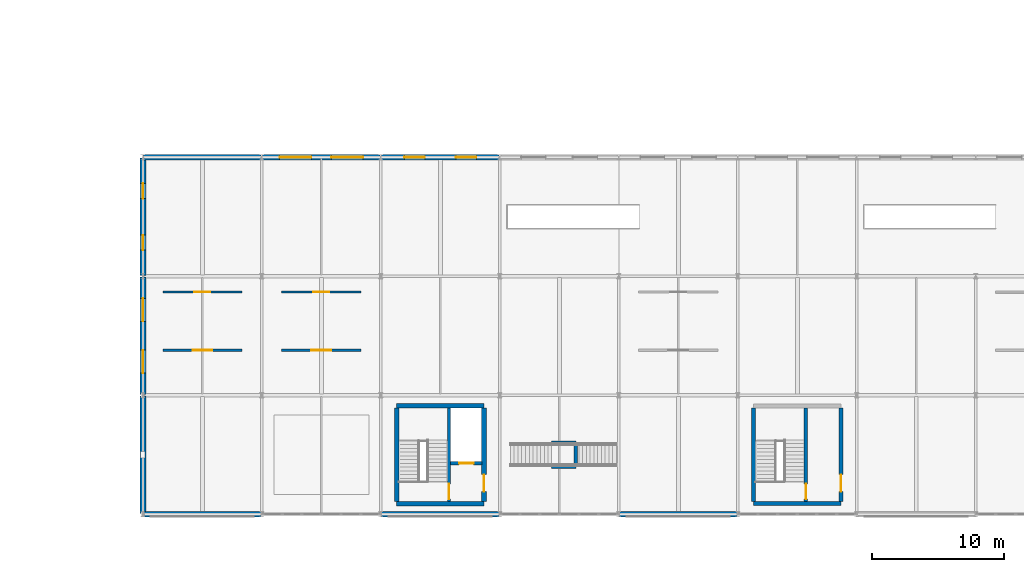
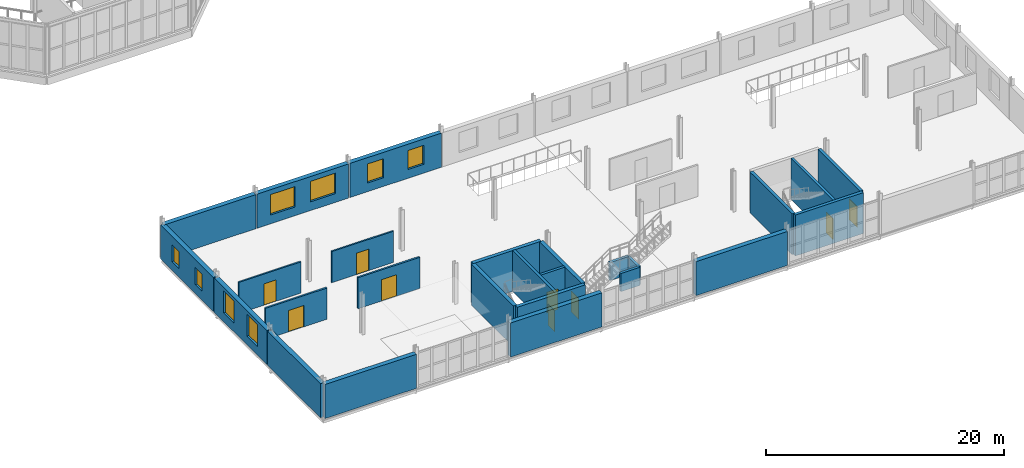
# One storey, part 133 of 161: 26 walls, 9 doors, 8 windows, 17 openings.
"""IFC4 building model written with IfcOpenShell, lengths in metres."""

from ifc_helpers import new_model, si_unit, direction, frame, frame_2d, origin, place, context, subcontext, project, spatial, rectangle, extrude, material, layer, layer_set, type_object, element, fill, save


model = new_model("IFC4")

# Units and contexts
model_context = context("Model", 3, precision=1e-05, world=origin(), true_north=direction((0.0, 1.0)))
body_context = subcontext(model_context, "Body", "Model", "MODEL_VIEW")
ifc_project = project(units=[si_unit("LENGTHUNIT", "METRE"), si_unit("AREAUNIT", "SQUARE_METRE"), si_unit("VOLUMEUNIT", "CUBIC_METRE"), si_unit("PLANEANGLEUNIT", "RADIAN"), si_unit("MASSUNIT", "GRAM", prefix="KILO")], contexts=[model_context])

# Site, building, storey
site_placement = place(None, origin())
site = spatial("IfcSite", under=ifc_project, at=site_placement, CompositionType="ELEMENT")
building_placement = place(site_placement, origin())
building = spatial("IfcBuilding", under=site, at=building_placement, Name="Kildeholm Park Wholesale Market", CompositionType="ELEMENT")
storey_placement = place(building_placement, frame((0.0, 0.0, 5.39990234375)))
storey = spatial("IfcBuildingStorey", under=building, at=storey_placement, Name="L01", CompositionType="ELEMENT", Elevation=5.39990234375)

# Walls
ifc_material_1 = material(Name="Insulated clinker brick and glazed ceramic mosaic facade wall", Category="masonry")
ifc_layer_1 = layer(ifc_material_1, 0.43994140625)
ifc_layer_set_1 = layer_set([ifc_layer_1], Name="Insulated clinker brick and glazed ceramic mosaic facade wall")
wall_type_1 = type_object("IfcWallType", Name="Exterior wall W-EX3 440 mm", PredefinedType="SOLIDWALL", material=ifc_layer_set_1)
for number, where, z_axis, x_axis, name in (
    (1, (9.06005859375, 0.0, 0.0), (0.0, 0.0, 1.0), (1.0, 0.0, 0.0), "Exterior wall V5W-L01-S01.1 WL-0517"),
    (2, (27.06005859375, 0.0, 0.0), (0.0, 0.0, 1.0), (1.0, 0.0, 0.0), "Exterior wall V5W-L01-S03.1 WL-0518"),
    (3, (45.06005859375, 0.0, 0.0), (0.0, 0.0, 1.0), (1.0, 0.0, 0.0), "Exterior wall V5W-L01-S05.1 WL-0519"),
    (4, (9.06005859375, 27.0, 0.0), (0.0, 0.0, 1.0), (1.0, 0.0, 0.0), "Exterior wall V5W-L01-N.1 WL-0521"),
):
    element("IfcWall", number, at=place(storey_placement, frame(where, z_axis=z_axis, x_axis=x_axis)), inside=storey, type_object=wall_type_1, Name=name, PredefinedType="SOLIDWALL", context=body_context, shape_type="SweptSolid", body=[
        extrude(rectangle(XDim=8.8798828125, YDim=0.43994140625, at=frame_2d((4.43994140625, 0.0))), origin(), (0.0, 0.0, 1.0), 3.5),
    ])

# Wall, openings, windows
wall_1_placement = place(storey_placement, frame((18.06005859375, 27.0, 0.0), z_axis=(0.0, 0.0, 1.0), x_axis=(1.0, 0.0, 0.0)))
wall_1 = element("IfcWall", 5, at=wall_1_placement, inside=storey, type_object=wall_type_1, Name="Exterior wall V5W-L01-N.2 WL-0522", PredefinedType="SOLIDWALL", context=body_context, shape_type="SweptSolid", body=[
    extrude(rectangle(XDim=8.8798828125, YDim=0.43994140625, at=frame_2d((4.43994140625, 0.0))), origin(), (0.0, 0.0, 1.0), 3.5),
])
opening_1_placement = place(wall_1_placement, frame((1.285888671875, 0.0, 0.89990234375)))
opening_1 = element("IfcOpeningElement", 6, at=opening_1_placement, cuts=wall_1, Name="Opening WN-04", PredefinedType="OPENING", context=body_context, shape_type="SweptSolid", body=[
    extrude(rectangle(XDim=2.39990234375, YDim=2.10009765625, at=frame_2d((1.199951171875, 1.050048828125))), frame((0.0, 0.22998046875, 0.0), z_axis=(0.0, -1.0, 0.0), x_axis=(1.0, 0.0, 0.0)), (0.0, 0.0, 1.0), 0.4599609375),
])
opening_2_placement = place(wall_1_placement, frame((5.194091796875, 0.0, 0.89990234375)))
opening_2 = element("IfcOpeningElement", 7, at=opening_2_placement, cuts=wall_1, Name="Opening WN-04", PredefinedType="OPENING", context=body_context, shape_type="SweptSolid", body=[
    extrude(rectangle(XDim=2.39990234375, YDim=2.10009765625, at=frame_2d((1.199951171875, 1.050048828125))), frame((0.0, 0.22998046875, 0.0), z_axis=(0.0, -1.0, 0.0), x_axis=(1.0, 0.0, 0.0)), (0.0, 0.0, 1.0), 0.4599609375),
])
ifc_material_2 = material(Name="Thermally broken aluminium and triple-glazed low-E glass", Category="aluminium")
window_type_1 = type_object("IfcWindowType", Name="Window WN-04 2400x2100", PartitioningType="TRIPLE_PANEL_VERTICAL", PredefinedType="WINDOW", material=ifc_material_2)
window_1_placement = place(opening_1_placement, origin())
window_1 = element("IfcWindow", 8, at=window_1_placement, inside=storey, type_object=window_type_1, Name="Window V5W-L01-N.2.1 WIN-0303", OverallHeight=2.10009765625, OverallWidth=2.39990234375, PartitioningType="SINGLE_PANEL", PredefinedType="WINDOW", context=body_context, shape_type="SweptSolid", body=[
    extrude(rectangle(XDim=2.39990234375, YDim=2.10009765625, at=frame_2d((1.199951171875, 1.050048828125))), frame((0.0, 0.030029296875, 0.0), z_axis=(0.0, -1.0, 0.0), x_axis=(1.0, 0.0, 0.0)), (0.0, 0.0, 1.0), 0.06005859375),
])
fill(opening_1, window_1)
window_2_placement = place(opening_2_placement, origin())
window_2 = element("IfcWindow", 9, at=window_2_placement, inside=storey, type_object=window_type_1, Name="Window V5W-L01-N.2.2 WIN-0304", OverallHeight=2.10009765625, OverallWidth=2.39990234375, PartitioningType="SINGLE_PANEL", PredefinedType="WINDOW", context=body_context, shape_type="SweptSolid", body=[
    extrude(rectangle(XDim=2.39990234375, YDim=2.10009765625, at=frame_2d((1.199951171875, 1.050048828125))), frame((0.0, 0.030029296875, 0.0), z_axis=(0.0, -1.0, 0.0), x_axis=(1.0, 0.0, 0.0)), (0.0, 0.0, 1.0), 0.06005859375),
])
fill(opening_2, window_2)

wall_2_placement = place(storey_placement, frame((27.06005859375, 27.0, 0.0), z_axis=(0.0, 0.0, 1.0), x_axis=(1.0, 0.0, 0.0)))
wall_2 = element("IfcWall", 10, at=wall_2_placement, inside=storey, type_object=wall_type_1, Name="Exterior wall V5W-L01-N.3 WL-0523", PredefinedType="SOLIDWALL", context=body_context, shape_type="SweptSolid", body=[
    extrude(rectangle(XDim=8.8798828125, YDim=0.43994140625, at=frame_2d((4.43994140625, 0.0))), origin(), (0.0, 0.0, 1.0), 3.5),
])
opening_3_placement = place(wall_2_placement, frame((1.7109375, 0.0, 0.89990234375)))
opening_3 = element("IfcOpeningElement", 11, at=opening_3_placement, cuts=wall_2, Name="Opening WN-29", PredefinedType="OPENING", context=body_context, shape_type="SweptSolid", body=[
    extrude(rectangle(XDim=1.550048828125, YDim=1.949951171875, at=frame_2d((0.77490234375, 0.97509765625))), frame((0.0, 0.22998046875, 0.0), z_axis=(0.0, -1.0, 0.0), x_axis=(1.0, 0.0, 0.0)), (0.0, 0.0, 1.0), 0.4599609375),
])
opening_4_placement = place(wall_2_placement, frame((5.618896484375, 0.0, 0.89990234375)))
opening_4 = element("IfcOpeningElement", 12, at=opening_4_placement, cuts=wall_2, Name="Opening WN-29", PredefinedType="OPENING", context=body_context, shape_type="SweptSolid", body=[
    extrude(rectangle(XDim=1.550048828125, YDim=1.949951171875, at=frame_2d((0.77490234375, 0.97509765625))), frame((0.0, 0.22998046875, 0.0), z_axis=(0.0, -1.0, 0.0), x_axis=(1.0, 0.0, 0.0)), (0.0, 0.0, 1.0), 0.4599609375),
])
window_type_2 = type_object("IfcWindowType", Name="Window WN-29 1550x1950", PartitioningType="DOUBLE_PANEL_VERTICAL", PredefinedType="WINDOW", material=ifc_material_2)
window_3_placement = place(opening_3_placement, origin())
window_3 = element("IfcWindow", 13, at=window_3_placement, inside=storey, type_object=window_type_2, Name="Window V5W-L01-N.3.1 WIN-0305", OverallHeight=1.949951171875, OverallWidth=1.550048828125, PartitioningType="SINGLE_PANEL", PredefinedType="WINDOW", context=body_context, shape_type="SweptSolid", body=[
    extrude(rectangle(XDim=1.550048828125, YDim=1.949951171875, at=frame_2d((0.77490234375, 0.97509765625))), frame((0.0, 0.030029296875, 0.0), z_axis=(0.0, -1.0, 0.0), x_axis=(1.0, 0.0, 0.0)), (0.0, 0.0, 1.0), 0.06005859375),
])
fill(opening_3, window_3)
window_4_placement = place(opening_4_placement, origin())
window_4 = element("IfcWindow", 14, at=window_4_placement, inside=storey, type_object=window_type_2, Name="Window V5W-L01-N.3.2 WIN-0306", OverallHeight=1.949951171875, OverallWidth=1.550048828125, PartitioningType="SINGLE_PANEL", PredefinedType="WINDOW", context=body_context, shape_type="SweptSolid", body=[
    extrude(rectangle(XDim=1.550048828125, YDim=1.949951171875, at=frame_2d((0.77490234375, 0.97509765625))), frame((0.0, 0.030029296875, 0.0), z_axis=(0.0, -1.0, 0.0), x_axis=(1.0, 0.0, 0.0)), (0.0, 0.0, 1.0), 0.06005859375),
])
fill(opening_4, window_4)

# Wall
wall_3_placement = place(storey_placement, frame((9.0, 0.06005859375, 0.0), z_axis=(0.0, 0.0, 1.0), x_axis=(0.0, 1.0, 0.0)))
element("IfcWall", 15, at=wall_3_placement, inside=storey, type_object=wall_type_1, Name="Exterior wall V5W-L01-W.1 WL-0529", PredefinedType="SOLIDWALL", context=body_context, shape_type="SweptSolid", body=[
    extrude(rectangle(XDim=8.8798828125, YDim=0.43994140625, at=frame_2d((4.43994140625, 0.0))), origin(), (0.0, 0.0, 1.0), 3.5),
])

# Wall, openings, windows
wall_4_placement = place(storey_placement, frame((9.0, 9.06005859375, 0.0), z_axis=(0.0, 0.0, 1.0), x_axis=(0.0, 1.0, 0.0)))
wall_4 = element("IfcWall", 16, at=wall_4_placement, inside=storey, type_object=wall_type_1, Name="Exterior wall V5W-L01-W.2 WL-0530", PredefinedType="SOLIDWALL", context=body_context, shape_type="SweptSolid", body=[
    extrude(rectangle(XDim=8.8798828125, YDim=0.43994140625, at=frame_2d((4.43994140625, 0.0))), origin(), (0.0, 0.0, 1.0), 3.5),
])
opening_5_placement = place(wall_4_placement, frame((1.611083984375, 0.0, 0.89990234375)))
opening_5 = element("IfcOpeningElement", 17, at=opening_5_placement, cuts=wall_4, Name="Opening WN-25", PredefinedType="OPENING", context=body_context, shape_type="SweptSolid", body=[
    extrude(rectangle(XDim=1.75, YDim=2.25, at=frame_2d((0.875, 1.125))), frame((0.0, 0.22998046875, 0.0), z_axis=(0.0, -1.0, 0.0), x_axis=(1.0, 0.0, 0.0)), (0.0, 0.0, 1.0), 0.4599609375),
])
opening_6_placement = place(wall_4_placement, frame((5.51904296875, 0.0, 0.89990234375)))
opening_6 = element("IfcOpeningElement", 18, at=opening_6_placement, cuts=wall_4, Name="Opening WN-25", PredefinedType="OPENING", context=body_context, shape_type="SweptSolid", body=[
    extrude(rectangle(XDim=1.75, YDim=2.25, at=frame_2d((0.875, 1.125))), frame((0.0, 0.22998046875, 0.0), z_axis=(0.0, -1.0, 0.0), x_axis=(1.0, 0.0, 0.0)), (0.0, 0.0, 1.0), 0.4599609375),
])
window_type_3 = type_object("IfcWindowType", Name="Window WN-25 1750x2250", PartitioningType="DOUBLE_PANEL_VERTICAL", PredefinedType="WINDOW", material=ifc_material_2)
window_5_placement = place(opening_5_placement, origin())
window_5 = element("IfcWindow", 19, at=window_5_placement, inside=storey, type_object=window_type_3, Name="Window V5W-L01-W.2.1 WIN-0317", OverallHeight=2.25, OverallWidth=1.75, PartitioningType="SINGLE_PANEL", PredefinedType="WINDOW", context=body_context, shape_type="SweptSolid", body=[
    extrude(rectangle(XDim=1.75, YDim=2.25, at=frame_2d((0.875, 1.125))), frame((0.0, 0.030029296875, 0.0), z_axis=(0.0, -1.0, 0.0), x_axis=(1.0, 0.0, 0.0)), (0.0, 0.0, 1.0), 0.06005859375),
])
fill(opening_5, window_5)
window_6_placement = place(opening_6_placement, origin())
window_6 = element("IfcWindow", 20, at=window_6_placement, inside=storey, type_object=window_type_3, Name="Window V5W-L01-W.2.2 WIN-0318", OverallHeight=2.25, OverallWidth=1.75, PartitioningType="SINGLE_PANEL", PredefinedType="WINDOW", context=body_context, shape_type="SweptSolid", body=[
    extrude(rectangle(XDim=1.75, YDim=2.25, at=frame_2d((0.875, 1.125))), frame((0.0, 0.030029296875, 0.0), z_axis=(0.0, -1.0, 0.0), x_axis=(1.0, 0.0, 0.0)), (0.0, 0.0, 1.0), 0.06005859375),
])
fill(opening_6, window_6)

wall_5_placement = place(storey_placement, frame((9.0, 18.06005859375, 0.0), z_axis=(0.0, 0.0, 1.0), x_axis=(0.0, 1.0, 0.0)))
wall_5 = element("IfcWall", 21, at=wall_5_placement, inside=storey, type_object=wall_type_1, Name="Exterior wall V5W-L01-W.3 WL-0531", PredefinedType="SOLIDWALL", context=body_context, shape_type="SweptSolid", body=[
    extrude(rectangle(XDim=8.8798828125, YDim=0.43994140625, at=frame_2d((4.43994140625, 0.0))), origin(), (0.0, 0.0, 1.0), 3.5),
])
opening_7_placement = place(wall_5_placement, frame((1.910888671875, 0.0, 0.89990234375)))
opening_7 = element("IfcOpeningElement", 22, at=opening_7_placement, cuts=wall_5, Name="Opening WN-27", PredefinedType="OPENING", context=body_context, shape_type="SweptSolid", body=[
    extrude(rectangle(XDim=1.14990234375, YDim=1.75, at=frame_2d((0.574951171875, 0.875))), frame((0.0, 0.22998046875, 0.0), z_axis=(0.0, -1.0, 0.0), x_axis=(1.0, 0.0, 0.0)), (0.0, 0.0, 1.0), 0.4599609375),
])
opening_8_placement = place(wall_5_placement, frame((5.819091796875, 0.0, 0.89990234375)))
opening_8 = element("IfcOpeningElement", 23, at=opening_8_placement, cuts=wall_5, Name="Opening WN-27", PredefinedType="OPENING", context=body_context, shape_type="SweptSolid", body=[
    extrude(rectangle(XDim=1.14990234375, YDim=1.75, at=frame_2d((0.574951171875, 0.875))), frame((0.0, 0.22998046875, 0.0), z_axis=(0.0, -1.0, 0.0), x_axis=(1.0, 0.0, 0.0)), (0.0, 0.0, 1.0), 0.4599609375),
])
window_type_4 = type_object("IfcWindowType", Name="Window WN-27 1150x1750", PartitioningType="SINGLE_PANEL", PredefinedType="WINDOW", material=ifc_material_2)
window_7_placement = place(opening_7_placement, origin())
window_7 = element("IfcWindow", 24, at=window_7_placement, inside=storey, type_object=window_type_4, Name="Window V5W-L01-W.3.1 WIN-0319", OverallHeight=1.75, OverallWidth=1.14990234375, PartitioningType="SINGLE_PANEL", PredefinedType="WINDOW", context=body_context, shape_type="SweptSolid", body=[
    extrude(rectangle(XDim=1.14990234375, YDim=1.75, at=frame_2d((0.574951171875, 0.875))), frame((0.0, 0.030029296875, 0.0), z_axis=(0.0, -1.0, 0.0), x_axis=(1.0, 0.0, 0.0)), (0.0, 0.0, 1.0), 0.06005859375),
])
fill(opening_7, window_7)
window_8_placement = place(opening_8_placement, origin())
window_8 = element("IfcWindow", 25, at=window_8_placement, inside=storey, type_object=window_type_4, Name="Window V5W-L01-W.3.2 WIN-0320", OverallHeight=1.75, OverallWidth=1.14990234375, PartitioningType="SINGLE_PANEL", PredefinedType="WINDOW", context=body_context, shape_type="SweptSolid", body=[
    extrude(rectangle(XDim=1.14990234375, YDim=1.75, at=frame_2d((0.574951171875, 0.875))), frame((0.0, 0.030029296875, 0.0), z_axis=(0.0, -1.0, 0.0), x_axis=(1.0, 0.0, 0.0)), (0.0, 0.0, 1.0), 0.06005859375),
])
fill(opening_8, window_8)

# Wall, opening, door
ifc_material_3 = material(Name="Fire-rated corridor and lobby partition")
ifc_layer_2 = layer(ifc_material_3, 0.14990234375)
ifc_layer_set_2 = layer_set([ifc_layer_2], Name="Fire-rated corridor and lobby partition")
wall_type_2 = type_object("IfcWallType", Name="Partition W-PT04 150 mm", PredefinedType="PARTITIONING", material=ifc_layer_set_2)
wall_6_placement = place(storey_placement, frame((10.5, 16.800048828125, 0.0), z_axis=(0.0, 0.0, 1.0), x_axis=(1.0, 0.0, 0.0)))
wall_6 = element("IfcWall", 26, at=wall_6_placement, inside=storey, type_object=wall_type_2, Name="Interior partition W-V5W-L01-CN1 WL-1010", PredefinedType="PARTITIONING", context=body_context, shape_type="SweptSolid", body=[
    extrude(rectangle(XDim=6.0, YDim=0.14990234375, at=frame_2d((3.0, 0.0))), origin(), (0.0, 0.0, 1.0), 3.2001953125),
])
opening_9_placement = place(wall_6_placement, frame((2.39990234375, 0.0, 0.0)))
opening_9 = element("IfcOpeningElement", 27, at=opening_9_placement, cuts=wall_6, Name="Opening D-IN11", PredefinedType="OPENING", context=body_context, shape_type="SweptSolid", body=[
    extrude(rectangle(XDim=1.199951171875, YDim=2.199951171875, at=frame_2d((0.60009765625, 1.10009765625))), frame((0.0, 0.0849609375, 0.0), z_axis=(0.0, -1.0, 0.0), x_axis=(1.0, 0.0, 0.0)), (0.0, 0.0, 1.0), 0.169921875),
])
ifc_material_4 = material(Name="Culinary workshop glazed doorset")
door_type_1 = type_object("IfcDoorType", Name="Interior door D-IN11 1200x2200", OperationType="NOTDEFINED", PredefinedType="DOOR", material=ifc_material_4)
door_1_placement = place(opening_9_placement, origin())
door_1 = element("IfcDoor", 28, at=door_1_placement, inside=storey, type_object=door_type_1, Name="Interior door V5W-L01-CN1 DR-0285 WL-1010", OperationType="SINGLE_SWING_LEFT", OverallHeight=2.199951171875, OverallWidth=1.199951171875, PredefinedType="DOOR", context=body_context, shape_type="SweptSolid", body=[
    extrude(rectangle(XDim=1.199951171875, YDim=2.199951171875, at=frame_2d((0.60009765625, 1.10009765625))), frame((0.0, 0.02490234375, 0.0), z_axis=(0.0, -1.0, 0.0), x_axis=(1.0, 0.0, 0.0)), (0.0, 0.0, 1.0), 0.050048828125),
])
fill(opening_9, door_1)

wall_7_placement = place(storey_placement, frame((19.5, 16.800048828125, 0.0), z_axis=(0.0, 0.0, 1.0), x_axis=(1.0, 0.0, 0.0)))
wall_7 = element("IfcWall", 29, at=wall_7_placement, inside=storey, type_object=wall_type_2, Name="Interior partition W-V5W-L01-CN2 WL-1012", PredefinedType="PARTITIONING", context=body_context, shape_type="SweptSolid", body=[
    extrude(rectangle(XDim=6.0, YDim=0.14990234375, at=frame_2d((3.0, 0.0))), origin(), (0.0, 0.0, 1.0), 3.2001953125),
])
opening_10_placement = place(wall_7_placement, frame((2.39990234375, 0.0, 0.0)))
opening_10 = element("IfcOpeningElement", 30, at=opening_10_placement, cuts=wall_7, Name="Opening D-IN11", PredefinedType="OPENING", context=body_context, shape_type="SweptSolid", body=[
    extrude(rectangle(XDim=1.199951171875, YDim=2.199951171875, at=frame_2d((0.60009765625, 1.10009765625))), frame((0.0, 0.0849609375, 0.0), z_axis=(0.0, -1.0, 0.0), x_axis=(1.0, 0.0, 0.0)), (0.0, 0.0, 1.0), 0.169921875),
])
door_2_placement = place(opening_10_placement, origin())
door_2 = element("IfcDoor", 31, at=door_2_placement, inside=storey, type_object=door_type_1, Name="Interior door V5W-L01-CN2 DR-0287 WL-1012", OperationType="SINGLE_SWING_LEFT", OverallHeight=2.199951171875, OverallWidth=1.199951171875, PredefinedType="DOOR", context=body_context, shape_type="SweptSolid", body=[
    extrude(rectangle(XDim=1.199951171875, YDim=2.199951171875, at=frame_2d((0.60009765625, 1.10009765625))), frame((0.0, 0.02490234375, 0.0), z_axis=(0.0, -1.0, 0.0), x_axis=(1.0, 0.0, 0.0)), (0.0, 0.0, 1.0), 0.050048828125),
])
fill(opening_10, door_2)

ifc_material_5 = material(Name="Commercial kitchen fire and hygiene wall")
ifc_layer_3 = layer(ifc_material_5, 0.175048828125)
ifc_layer_set_3 = layer_set([ifc_layer_3], Name="Commercial kitchen fire and hygiene wall")
wall_type_3 = type_object("IfcWallType", Name="Partition W-PT13 175 mm", PredefinedType="PARTITIONING", material=ifc_layer_set_3)
wall_8_placement = place(storey_placement, frame((10.5, 12.39990234375, 0.0), z_axis=(0.0, 0.0, 1.0), x_axis=(1.0, 0.0, 0.0)))
wall_8 = element("IfcWall", 32, at=wall_8_placement, inside=storey, type_object=wall_type_3, Name="Interior partition W-V5W-L01-CS1 WL-1009", PredefinedType="PARTITIONING", context=body_context, shape_type="SweptSolid", body=[
    extrude(rectangle(XDim=6.0, YDim=0.175048828125, at=frame_2d((3.0, 0.0))), origin(), (0.0, 0.0, 1.0), 3.2001953125),
])
opening_11_placement = place(wall_8_placement, frame((2.25, 0.0, 0.0)))
opening_11 = element("IfcOpeningElement", 33, at=opening_11_placement, cuts=wall_8, Name="Opening D-IN05", PredefinedType="OPENING", context=body_context, shape_type="SweptSolid", body=[
    extrude(rectangle(XDim=1.5, YDim=2.199951171875, at=frame_2d((0.75, 1.10009765625))), frame((0.0, 0.097412109375, 0.0), z_axis=(0.0, -1.0, 0.0), x_axis=(1.0, 0.0, 0.0)), (0.0, 0.0, 1.0), 0.195068359375),
])
ifc_material_6 = material(Name="Double-leaf canteen and kitchen doorset")
door_type_2 = type_object("IfcDoorType", Name="Interior door D-IN05 1500x2200", OperationType="NOTDEFINED", PredefinedType="DOOR", material=ifc_material_6)
door_3_placement = place(opening_11_placement, origin())
door_3 = element("IfcDoor", 34, at=door_3_placement, inside=storey, type_object=door_type_2, Name="Interior door V5W-L01-CS1 DR-0284 WL-1009", OperationType="DOUBLE_DOOR_SINGLE_SWING", OverallHeight=2.199951171875, OverallWidth=1.5, PredefinedType="DOOR", context=body_context, shape_type="SweptSolid", body=[
    extrude(rectangle(XDim=1.5, YDim=2.199951171875, at=frame_2d((0.75, 1.10009765625))), frame((0.0, 0.02490234375, 0.0), z_axis=(0.0, -1.0, 0.0), x_axis=(1.0, 0.0, 0.0)), (0.0, 0.0, 1.0), 0.050048828125),
])
fill(opening_11, door_3)

wall_9_placement = place(storey_placement, frame((19.5, 12.39990234375, 0.0), z_axis=(0.0, 0.0, 1.0), x_axis=(1.0, 0.0, 0.0)))
wall_9 = element("IfcWall", 35, at=wall_9_placement, inside=storey, type_object=wall_type_3, Name="Interior partition W-V5W-L01-CS2 WL-1011", PredefinedType="PARTITIONING", context=body_context, shape_type="SweptSolid", body=[
    extrude(rectangle(XDim=6.0, YDim=0.175048828125, at=frame_2d((3.0, 0.0))), origin(), (0.0, 0.0, 1.0), 3.2001953125),
])
opening_12_placement = place(wall_9_placement, frame((2.25, 0.0, 0.0)))
opening_12 = element("IfcOpeningElement", 36, at=opening_12_placement, cuts=wall_9, Name="Opening D-IN05", PredefinedType="OPENING", context=body_context, shape_type="SweptSolid", body=[
    extrude(rectangle(XDim=1.5, YDim=2.199951171875, at=frame_2d((0.75, 1.10009765625))), frame((0.0, 0.097412109375, 0.0), z_axis=(0.0, -1.0, 0.0), x_axis=(1.0, 0.0, 0.0)), (0.0, 0.0, 1.0), 0.195068359375),
])
door_4_placement = place(opening_12_placement, origin())
door_4 = element("IfcDoor", 37, at=door_4_placement, inside=storey, type_object=door_type_2, Name="Interior door V5W-L01-CS2 DR-0286 WL-1011", OperationType="DOUBLE_DOOR_SINGLE_SWING", OverallHeight=2.199951171875, OverallWidth=1.5, PredefinedType="DOOR", context=body_context, shape_type="SweptSolid", body=[
    extrude(rectangle(XDim=1.5, YDim=2.199951171875, at=frame_2d((0.75, 1.10009765625))), frame((0.0, 0.02490234375, 0.0), z_axis=(0.0, -1.0, 0.0), x_axis=(1.0, 0.0, 0.0)), (0.0, 0.0, 1.0), 0.050048828125),
])
fill(opening_12, door_4)

# Walls
ifc_material_7 = material(Name="Concrete C40/50", Category="concrete")
ifc_layer_4 = layer(ifc_material_7, 0.300048828125)
ifc_layer_set_4 = layer_set([ifc_layer_4], Name="Concrete C40/50")
wall_type_4 = type_object("IfcWallType", Name="Shear wall W-SH1 300 mm", PredefinedType="SHEAR", material=ifc_layer_set_4)
wall_10_placement = place(storey_placement, frame((55.199951171875, 0.800048828125, 0.0), z_axis=(0.0, 0.0, 1.0), x_axis=(1.0, 0.0, 0.0)))
element("IfcWall", 38, at=wall_10_placement, inside=storey, type_object=wall_type_4, Name="Core C05 south shear wall L01 WL-0733", PredefinedType="SHEAR", context=body_context, shape_type="SweptSolid", body=[
    extrude(rectangle(XDim=6.60009765625, YDim=0.300048828125, at=frame_2d((3.300048828125, 0.0))), origin(), (0.0, 0.0, 1.0), 4.2001953125),
])
wall_11_placement = place(storey_placement, frame((55.199951171875, 0.949951171875, 0.0), z_axis=(0.0, 0.0, 1.0), x_axis=(0.0, 1.0, 0.0)))
element("IfcWall", 39, at=wall_11_placement, inside=storey, type_object=wall_type_4, Name="Core C05 west shear wall L01 WL-0735", PredefinedType="SHEAR", context=body_context, shape_type="SweptSolid", body=[
    extrude(rectangle(XDim=7.10009765625, YDim=0.300048828125, at=frame_2d((3.550048828125, 0.0))), origin(), (0.0, 0.0, 1.0), 4.2001953125),
])

# Wall, opening, door
wall_12_placement = place(storey_placement, frame((61.800048828125, 0.949951171875, 0.0), z_axis=(0.0, 0.0, 1.0), x_axis=(0.0, 1.0, 0.0)))
wall_12 = element("IfcWall", 40, at=wall_12_placement, inside=storey, type_object=wall_type_4, Name="Core C05 east shear wall L01 WL-0736", PredefinedType="SHEAR", context=body_context, shape_type="SweptSolid", body=[
    extrude(rectangle(XDim=7.10009765625, YDim=0.300048828125, at=frame_2d((3.550048828125, 0.0))), origin(), (0.0, 0.0, 1.0), 4.2001953125),
])
opening_13_placement = place(wall_12_placement, frame((0.75, 0.0, 0.0)))
opening_13 = element("IfcOpeningElement", 41, at=opening_13_placement, cuts=wall_12, Name="Opening D-CR02", PredefinedType="OPENING", context=body_context, shape_type="SweptSolid", body=[
    extrude(rectangle(XDim=1.300048828125, YDim=2.14990234375, at=frame_2d((0.64990234375, 1.074951171875))), frame((0.0, 0.159912109375, 0.0), z_axis=(0.0, -1.0, 0.0), x_axis=(1.0, 0.0, 0.0)), (0.0, 0.0, 1.0), 0.320068359375),
])
ifc_material_8 = material(Name="Painted steel core lobby double-leaf doorset", Category="steel")
door_type_3 = type_object("IfcDoorType", Name="Interior door D-CR02 1300x2150", OperationType="NOTDEFINED", PredefinedType="DOOR", material=ifc_material_8)
door_5_placement = place(opening_13_placement, frame((1.300048828125, 0.0, 0.0), z_axis=(0.0, 0.0, 1.0), x_axis=(-1.0, 0.0, 0.0)))
door_5 = element("IfcDoor", 42, at=door_5_placement, inside=storey, type_object=door_type_3, Name="Core C05 lobby entrance door L01 DR-0118 WL-0736", OperationType="DOUBLE_DOOR_SINGLE_SWING", OverallHeight=2.14990234375, OverallWidth=1.300048828125, PredefinedType="DOOR", context=body_context, shape_type="SweptSolid", body=[
    extrude(rectangle(XDim=1.300048828125, YDim=2.14990234375, at=frame_2d((0.64990234375, 1.074951171875))), frame((0.0, 0.02490234375, 0.0), z_axis=(0.0, -1.0, 0.0), x_axis=(1.0, 0.0, 0.0)), (0.0, 0.0, 1.0), 0.050048828125),
])
fill(opening_13, door_5)

ifc_layer_5 = layer(ifc_material_7, 0.25)
ifc_layer_set_5 = layer_set([ifc_layer_5], Name="Concrete C40/50")
wall_type_5 = type_object("IfcWallType", Name="Shear wall W-SH2 250 mm", PredefinedType="SHEAR", material=ifc_layer_set_5)
wall_13_placement = place(storey_placement, frame((32.14990234375, 0.949951171875, 0.0), z_axis=(0.0, 0.0, 1.0), x_axis=(0.0, 1.0, 0.0)))
wall_13 = element("IfcWall", 43, at=wall_13_placement, inside=storey, type_object=wall_type_5, Name="Core C04 shaft wall L01 WL-0714", PredefinedType="SHEAR", context=body_context, shape_type="SweptSolid", body=[
    extrude(rectangle(XDim=7.10009765625, YDim=0.25, at=frame_2d((3.550048828125, 0.0))), origin(), (0.0, 0.0, 1.0), 4.2001953125),
])
opening_14_placement = place(wall_13_placement, frame((0.199951171875, 0.0, 0.0)))
opening_14 = element("IfcOpeningElement", 44, at=opening_14_placement, cuts=wall_13, Name="Opening D-CR01", PredefinedType="OPENING", context=body_context, shape_type="SweptSolid", body=[
    extrude(rectangle(XDim=1.14990234375, YDim=2.14990234375, at=frame_2d((0.574951171875, 1.074951171875))), frame((0.0, 0.135009765625, 0.0), z_axis=(0.0, -1.0, 0.0), x_axis=(1.0, 0.0, 0.0)), (0.0, 0.0, 1.0), 0.27001953125),
])
ifc_material_9 = material(Name="Painted steel fire escape doorset", Category="steel")
door_type_4 = type_object("IfcDoorType", Name="Interior door D-CR01 1150x2150", OperationType="NOTDEFINED", PredefinedType="DOOR", material=ifc_material_9)
door_6_placement = place(opening_14_placement, frame((1.14990234375, 0.0, 0.0), z_axis=(0.0, 0.0, 1.0), x_axis=(-1.0, 0.0, 0.0)))
door_6 = element("IfcDoor", 45, at=door_6_placement, inside=storey, type_object=door_type_4, Name="Core C04 stair fire door L01 DR-0107 WL-0714", OperationType="SINGLE_SWING_RIGHT", OverallHeight=2.14990234375, OverallWidth=1.14990234375, PredefinedType="DOOR", context=body_context, shape_type="SweptSolid", body=[
    extrude(rectangle(XDim=1.14990234375, YDim=2.14990234375, at=frame_2d((0.574951171875, 1.074951171875))), frame((0.0, 0.02490234375, 0.0), z_axis=(0.0, -1.0, 0.0), x_axis=(1.0, 0.0, 0.0)), (0.0, 0.0, 1.0), 0.050048828125),
])
fill(opening_14, door_6)

wall_14_placement = place(storey_placement, frame((32.27001953125, 3.85009765625, 0.0), z_axis=(0.0, 0.0, 1.0), x_axis=(1.0, 0.0, 0.0)))
wall_14 = element("IfcWall", 46, at=wall_14_placement, inside=storey, type_object=wall_type_5, Name="Lift LF-01 shaft front wall L01 WL-0715", PredefinedType="SHEAR", context=body_context, shape_type="SweptSolid", body=[
    extrude(rectangle(XDim=2.3798828125, YDim=0.25, at=frame_2d((1.18994140625, 0.0))), origin(), (0.0, 0.0, 1.0), 4.2001953125),
])
opening_15_placement = place(wall_14_placement, frame((0.639892578125, 0.0, 0.0)))
opening_15 = element("IfcOpeningElement", 47, at=opening_15_placement, cuts=wall_14, Name="Opening LD-01", PredefinedType="OPENING", context=body_context, shape_type="SweptSolid", body=[
    extrude(rectangle(XDim=1.10009765625, YDim=2.14990234375, at=frame_2d((0.550048828125, 1.074951171875))), frame((0.0, 0.135009765625, 0.0), z_axis=(0.0, -1.0, 0.0), x_axis=(1.0, 0.0, 0.0)), (0.0, 0.0, 1.0), 0.27001953125),
])
ifc_material_10 = material(Name="Stainless steel AISI 316 passenger lift landing door", Category="steel")
door_type_5 = type_object("IfcDoorType", Name="Interior door D-LD01 1100x2150", OperationType="NOTDEFINED", PredefinedType="DOOR", material=ifc_material_10)
door_7_placement = place(opening_15_placement, origin())
door_7 = element("IfcDoor", 48, at=door_7_placement, inside=storey, type_object=door_type_5, Name="Lift LF-01 sliding landing door L01 DR-0108 WL-0715", OperationType="SLIDING_TO_LEFT", OverallHeight=2.14990234375, OverallWidth=1.10009765625, PredefinedType="DOOR", context=body_context, shape_type="SweptSolid", body=[
    extrude(rectangle(XDim=1.10009765625, YDim=2.14990234375, at=frame_2d((0.550048828125, 1.074951171875))), frame((0.0, 0.02490234375, 0.0), z_axis=(0.0, -1.0, 0.0), x_axis=(1.0, 0.0, 0.0)), (0.0, 0.0, 1.0), 0.050048828125),
])
fill(opening_15, door_7)

wall_15_placement = place(storey_placement, frame((59.14990234375, 0.949951171875, 0.0), z_axis=(0.0, 0.0, 1.0), x_axis=(0.0, 1.0, 0.0)))
wall_15 = element("IfcWall", 49, at=wall_15_placement, inside=storey, type_object=wall_type_5, Name="Core C05 shaft wall L01 WL-0737", PredefinedType="SHEAR", context=body_context, shape_type="SweptSolid", body=[
    extrude(rectangle(XDim=7.10009765625, YDim=0.25, at=frame_2d((3.550048828125, 0.0))), origin(), (0.0, 0.0, 1.0), 4.2001953125),
])
opening_16_placement = place(wall_15_placement, frame((0.199951171875, 0.0, 0.0)))
opening_16 = element("IfcOpeningElement", 50, at=opening_16_placement, cuts=wall_15, Name="Opening D-CR01", PredefinedType="OPENING", context=body_context, shape_type="SweptSolid", body=[
    extrude(rectangle(XDim=1.14990234375, YDim=2.14990234375, at=frame_2d((0.574951171875, 1.074951171875))), frame((0.0, 0.135009765625, 0.0), z_axis=(0.0, -1.0, 0.0), x_axis=(1.0, 0.0, 0.0)), (0.0, 0.0, 1.0), 0.27001953125),
])
door_8_placement = place(opening_16_placement, frame((1.14990234375, 0.0, 0.0), z_axis=(0.0, 0.0, 1.0), x_axis=(-1.0, 0.0, 0.0)))
door_8 = element("IfcDoor", 51, at=door_8_placement, inside=storey, type_object=door_type_4, Name="Core C05 stair fire door L01 DR-0119 WL-0737", OperationType="SINGLE_SWING_RIGHT", OverallHeight=2.14990234375, OverallWidth=1.14990234375, PredefinedType="DOOR", context=body_context, shape_type="SweptSolid", body=[
    extrude(rectangle(XDim=1.14990234375, YDim=2.14990234375, at=frame_2d((0.574951171875, 1.074951171875))), frame((0.0, 0.02490234375, 0.0), z_axis=(0.0, -1.0, 0.0), x_axis=(1.0, 0.0, 0.0)), (0.0, 0.0, 1.0), 0.050048828125),
])
fill(opening_16, door_8)

# Walls
for number, where, z_axis, x_axis, name in (
    (52, (39.89501953125, 3.580078125, 0.0), (0.0, 0.0, 1.0), (1.0, 0.0, 0.0), "Feature stair landing support wall ST-FT04-S WL-0923"),
    (53, (39.89501953125, 5.419921875, 0.0), (0.0, 0.0, 1.0), (1.0, 0.0, 0.0), "Feature stair landing support wall ST-FT04-N WL-0925"),
):
    element("IfcWall", number, at=place(storey_placement, frame(where, z_axis=z_axis, x_axis=x_axis)), inside=storey, type_object=wall_type_5, Name=name, PredefinedType="SHEAR", context=body_context, shape_type="SweptSolid", body=[
        extrude(rectangle(XDim=1.85009765625, YDim=0.25, at=frame_2d((0.925048828125, 0.0))), origin(), (0.0, 0.0, 1.0), 1.860107421875),
    ])
wall_16_placement = place(storey_placement, frame((41.7451171875, 3.580078125, 0.0), z_axis=(0.0, 0.0, 1.0), x_axis=(0.0, 1.0, 0.0)))
element("IfcWall", 54, at=wall_16_placement, inside=storey, type_object=wall_type_5, Name="Feature stair landing cross wall ST-FT04 WL-0927", PredefinedType="SHEAR", context=body_context, shape_type="SweptSolid", body=[
    extrude(rectangle(XDim=1.83984375, YDim=0.25, at=frame_2d((0.919921875, 0.0))), origin(), (0.0, 0.0, 1.0), 1.860107421875),
])
ifc_layer_6 = layer(ifc_material_7, 0.35009765625)
ifc_layer_set_6 = layer_set([ifc_layer_6], Name="Concrete C40/50")
wall_type_6 = type_object("IfcWallType", Name="Shear wall W-SH3 350 mm", PredefinedType="SHEAR", material=ifc_layer_set_6)
for number, where, z_axis, x_axis, name in (
    (55, (28.199951171875, 0.800048828125, 0.0), (0.0, 0.0, 1.0), (1.0, 0.0, 0.0), "Core C04 south shear wall L01 WL-0710"),
    (56, (28.199951171875, 8.199951171875, 0.0), (0.0, 0.0, 1.0), (1.0, 0.0, 0.0), "Core C04 north shear wall L01 WL-0711"),
):
    element("IfcWall", number, at=place(storey_placement, frame(where, z_axis=z_axis, x_axis=x_axis)), inside=storey, type_object=wall_type_6, Name=name, PredefinedType="SHEAR", context=body_context, shape_type="SweptSolid", body=[
        extrude(rectangle(XDim=6.60009765625, YDim=0.35009765625, at=frame_2d((3.300048828125, 0.0))), origin(), (0.0, 0.0, 1.0), 4.2001953125),
    ])
wall_17_placement = place(storey_placement, frame((28.199951171875, 0.949951171875, 0.0), z_axis=(0.0, 0.0, 1.0), x_axis=(0.0, 1.0, 0.0)))
element("IfcWall", 57, at=wall_17_placement, inside=storey, type_object=wall_type_6, Name="Core C04 west shear wall L01 WL-0712", PredefinedType="SHEAR", context=body_context, shape_type="SweptSolid", body=[
    extrude(rectangle(XDim=7.10009765625, YDim=0.35009765625, at=frame_2d((3.550048828125, 0.0))), origin(), (0.0, 0.0, 1.0), 4.2001953125),
])

# Wall, opening, door
wall_18_placement = place(storey_placement, frame((34.800048828125, 0.949951171875, 0.0), z_axis=(0.0, 0.0, 1.0), x_axis=(0.0, 1.0, 0.0)))
wall_18 = element("IfcWall", 58, at=wall_18_placement, inside=storey, type_object=wall_type_6, Name="Core C04 east shear wall L01 WL-0713", PredefinedType="SHEAR", context=body_context, shape_type="SweptSolid", body=[
    extrude(rectangle(XDim=7.10009765625, YDim=0.35009765625, at=frame_2d((3.550048828125, 0.0))), origin(), (0.0, 0.0, 1.0), 4.2001953125),
])
opening_17_placement = place(wall_18_placement, frame((0.75, 0.0, 0.0)))
opening_17 = element("IfcOpeningElement", 59, at=opening_17_placement, cuts=wall_18, Name="Opening D-CR02", PredefinedType="OPENING", context=body_context, shape_type="SweptSolid", body=[
    extrude(rectangle(XDim=1.300048828125, YDim=2.14990234375, at=frame_2d((0.64990234375, 1.074951171875))), frame((0.0, 0.18505859375, 0.0), z_axis=(0.0, -1.0, 0.0), x_axis=(1.0, 0.0, 0.0)), (0.0, 0.0, 1.0), 0.3701171875),
])
door_9_placement = place(opening_17_placement, frame((1.300048828125, 0.0, 0.0), z_axis=(0.0, 0.0, 1.0), x_axis=(-1.0, 0.0, 0.0)))
door_9 = element("IfcDoor", 60, at=door_9_placement, inside=storey, type_object=door_type_3, Name="Core C04 lobby entrance door L01 DR-0106 WL-0713", OperationType="DOUBLE_DOOR_SINGLE_SWING", OverallHeight=2.14990234375, OverallWidth=1.300048828125, PredefinedType="DOOR", context=body_context, shape_type="SweptSolid", body=[
    extrude(rectangle(XDim=1.300048828125, YDim=2.14990234375, at=frame_2d((0.64990234375, 1.074951171875))), frame((0.0, 0.02490234375, 0.0), z_axis=(0.0, -1.0, 0.0), x_axis=(1.0, 0.0, 0.0)), (0.0, 0.0, 1.0), 0.050048828125),
])
fill(opening_17, door_9)

save(model, "model.ifc")
